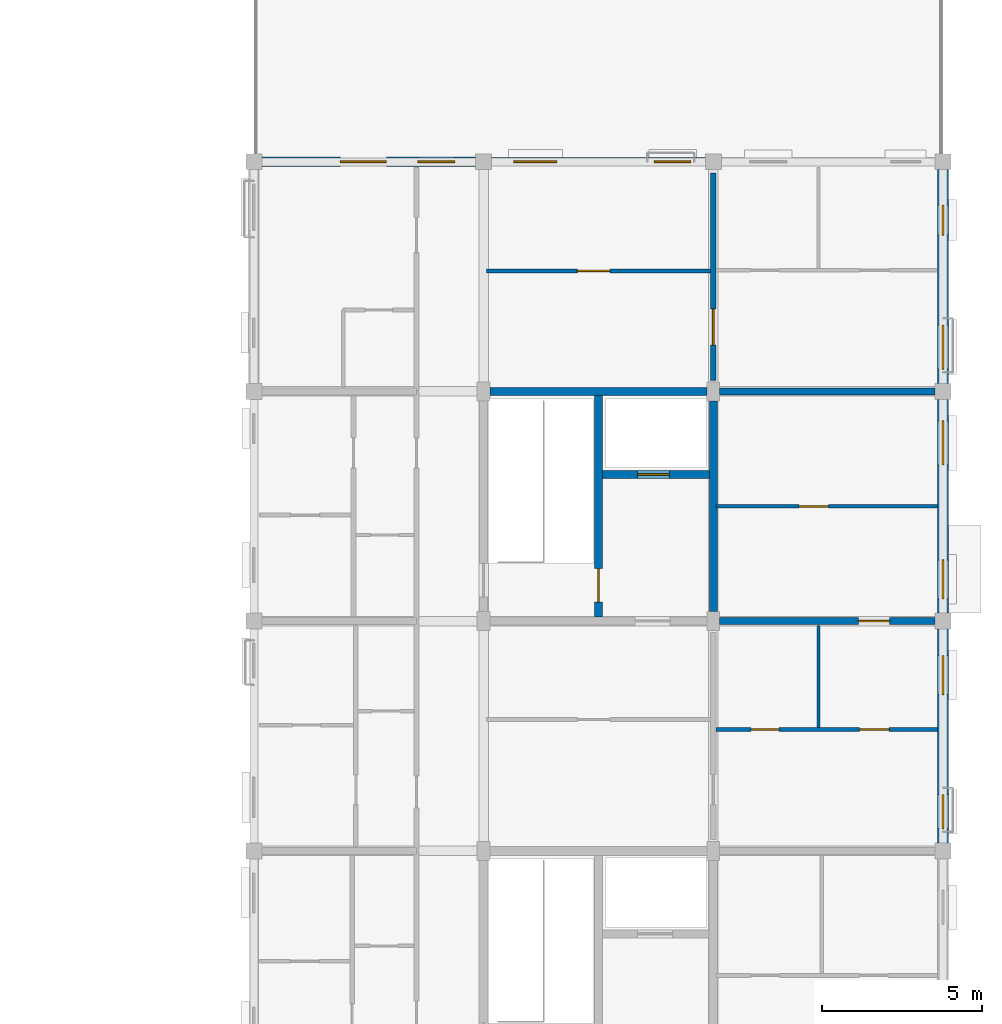
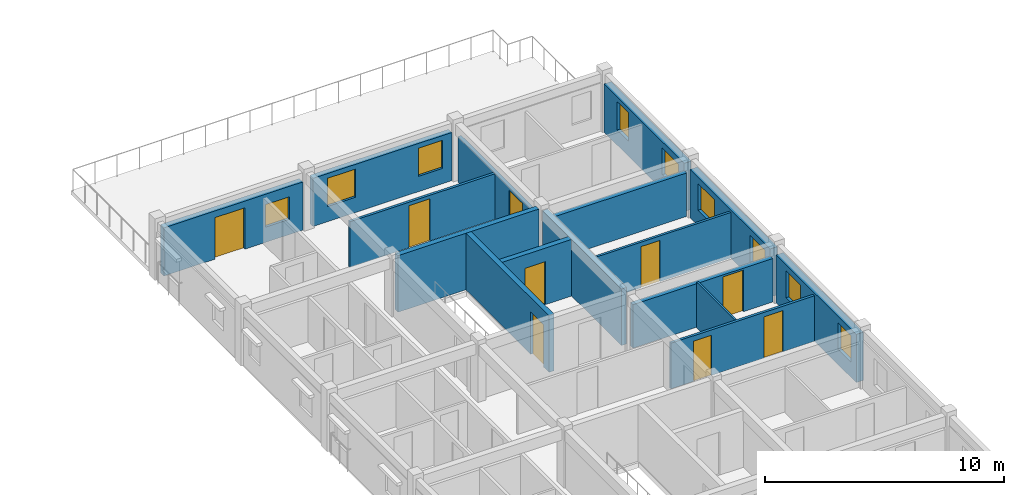
# One storey, part 24 of 38: 16 walls, 9 doors, 9 windows, 18 openings.
"""IFC4 building model written with IfcOpenShell, lengths in metres."""

from ifc_helpers import new_model, si_unit, direction, frame, frame_2d, origin, place, context, subcontext, project, spatial, rectangle, extrude, material, layer, layer_set, type_object, element, fill, save


model = new_model("IFC4")

# Units and contexts
model_context = context("Model", 3, precision=1e-05, world=origin(), true_north=direction((0.0, 1.0)))
body_context = subcontext(model_context, "Body", "Model", "MODEL_VIEW")
ifc_project = project(units=[si_unit("LENGTHUNIT", "METRE"), si_unit("AREAUNIT", "SQUARE_METRE"), si_unit("VOLUMEUNIT", "CUBIC_METRE"), si_unit("PLANEANGLEUNIT", "RADIAN"), si_unit("MASSUNIT", "GRAM", prefix="KILO"), si_unit("THERMODYNAMICTEMPERATUREUNIT", "KELVIN"), si_unit("POWERUNIT", "WATT")], contexts=[model_context])

# Site, building, storey
site_placement = place(None, origin())
site = spatial("IfcSite", under=ifc_project, at=site_placement, CompositionType="ELEMENT")
building_placement = place(site_placement, origin())
building = spatial("IfcBuilding", under=site, at=building_placement, Name="Tavuni Mirador Residences", CompositionType="ELEMENT")
storey_placement = place(building_placement, frame((0.0, 0.0, 32.85009765625)))
storey = spatial("IfcBuildingStorey", under=building, at=storey_placement, Name="L10", CompositionType="ELEMENT", Elevation=32.85009765625)

# Walls
ifc_material_1 = material(Name="Precast concrete C40/50", Category="concrete")
ifc_layer_1 = layer(ifc_material_1, 0.25, Name="Precast concrete C40/50", Category="concrete")
ifc_layer_set_1 = layer_set([ifc_layer_1], Name="Precast concrete C40/50")
wall_type_1 = type_object("IfcWallType", Name="WT-COR250", PredefinedType="SHEAR", material=ifc_layer_set_1)
wall_1_placement = place(storey_placement, frame((104.60009765625, 115.199951171875, 0.0), z_axis=(0.0, 0.0, 1.0), x_axis=(1.0, 0.0, 0.0)))
element("IfcWall", 1, at=wall_1_placement, inside=storey, type_object=wall_type_1, Name="CWALL-C8-L10-N", PredefinedType="SHEAR", context=body_context, shape_type="SweptSolid", body=[
    extrude(rectangle(XDim=6.7998046875, YDim=0.25, at=frame_2d((3.39990234375, 0.0))), origin(), (0.0, 0.0, 1.0), 2.889892578125),
])
wall_2_placement = place(storey_placement, frame((111.60009765625, 108.300048828125, 0.0), z_axis=(0.0, 0.0, 1.0), x_axis=(0.0, 1.0, 0.0)))
element("IfcWall", 2, at=wall_2_placement, inside=storey, type_object=wall_type_1, Name="CWALL-C8-L10-E", PredefinedType="SHEAR", context=body_context, shape_type="SweptSolid", body=[
    extrude(rectangle(XDim=6.599853515625, YDim=0.25, at=frame_2d((3.2998046875, 0.0))), origin(), (0.0, 0.0, 1.0), 2.889892578125),
])

# Wall, opening, door
wall_3_placement = place(storey_placement, frame((108.0, 108.125, 0.0), z_axis=(0.0, 0.0, 1.0), x_axis=(0.0, 1.0, 0.0)))
wall_3 = element("IfcWall", 3, at=wall_3_placement, inside=storey, type_object=wall_type_1, Name="CWALL-C8-L10-MID", PredefinedType="SHEAR", context=body_context, shape_type="SweptSolid", body=[
    extrude(rectangle(XDim=6.949951171875, YDim=0.25, at=frame_2d((3.47509765625, 0.0))), origin(), (0.0, 0.0, 1.0), 2.889892578125),
])
opening_1_placement = place(wall_3_placement, frame((0.47509765625, 0.0, 0.0)))
opening_1 = element("IfcOpeningElement", 4, at=opening_1_placement, cuts=wall_3, Name="Opening D-01", PredefinedType="OPENING", context=body_context, shape_type="SweptSolid", body=[
    extrude(rectangle(XDim=1.050048828125, YDim=2.14990234375, at=frame_2d((0.52490234375, 1.074951171875))), frame((0.0, 0.135009765625, 0.0), z_axis=(0.0, -1.0, 0.0), x_axis=(1.0, 0.0, 0.0)), (0.0, 0.0, 1.0), 0.27001953125),
])
ifc_material_2 = material(Name="Solid core iroko timber", Category="wood")
door_type_1 = type_object("IfcDoorType", Name="DT-ST1050", OperationType="NOTDEFINED", PredefinedType="DOOR", material=ifc_material_2)
door_1_placement = place(opening_1_placement, origin())
door_1 = element("IfcDoor", 5, at=door_1_placement, inside=storey, type_object=door_type_1, Name="DR-2355", OperationType="SINGLE_SWING_LEFT", OverallHeight=2.14990234375, OverallWidth=1.050048828125, PredefinedType="DOOR", context=body_context, shape_type="SweptSolid", body=[
    extrude(rectangle(XDim=1.050048828125, YDim=2.14990234375, at=frame_2d((0.52490234375, 1.074951171875))), frame((0.0, 0.02490234375, 0.0), z_axis=(0.0, -1.0, 0.0), x_axis=(1.0, 0.0, 0.0)), (0.0, 0.0, 1.0), 0.050048828125),
])
fill(opening_1, door_1)

wall_4_placement = place(storey_placement, frame((108.125, 112.60009765625, 0.0), z_axis=(0.0, 0.0, 1.0), x_axis=(1.0, 0.0, 0.0)))
wall_4 = element("IfcWall", 6, at=wall_4_placement, inside=storey, type_object=wall_type_1, Name="CWALL-C8-L10-SHF", PredefinedType="SHEAR", context=body_context, shape_type="SweptSolid", body=[
    extrude(rectangle(XDim=3.35009765625, YDim=0.25, at=frame_2d((1.675048828125, 0.0))), origin(), (0.0, 0.0, 1.0), 2.889892578125),
])
opening_2_placement = place(wall_4_placement, frame((1.10009765625, 0.0, 0.0)))
opening_2 = element("IfcOpeningElement", 7, at=opening_2_placement, cuts=wall_4, Name="Opening LD-02", PredefinedType="OPENING", context=body_context, shape_type="SweptSolid", body=[
    extrude(rectangle(XDim=1.0, YDim=2.199951171875, at=frame_2d((0.5, 1.10009765625))), frame((0.0, 0.135009765625, 0.0), z_axis=(0.0, -1.0, 0.0), x_axis=(1.0, 0.0, 0.0)), (0.0, 0.0, 1.0), 0.27001953125),
])
ifc_material_3 = material(Name="Structural steel S355", Category="steel")
door_type_2 = type_object("IfcDoorType", Name="DT-LD-PAX", OperationType="SLIDING_TO_LEFT", PredefinedType="DOOR", material=ifc_material_3)
door_2_placement = place(opening_2_placement, origin())
door_2 = element("IfcDoor", 8, at=door_2_placement, inside=storey, type_object=door_type_2, Name="Lift landing door PL-D1 L10", OperationType="SLIDING_TO_LEFT", OverallHeight=2.199951171875, OverallWidth=1.0, PredefinedType="DOOR", context=body_context, shape_type="SweptSolid", body=[
    extrude(rectangle(XDim=1.0, YDim=2.199951171875, at=frame_2d((0.5, 1.10009765625))), frame((0.0, 0.02490234375, 0.0), z_axis=(0.0, -1.0, 0.0), x_axis=(1.0, 0.0, 0.0)), (0.0, 0.0, 1.0), 0.050048828125),
])
fill(opening_2, door_2)

ifc_layer_2 = layer(ifc_material_1, 0.1650390625, Name="Precast concrete C40/50", Category="concrete")
ifc_layer_set_2 = layer_set([ifc_layer_2], Name="Precast concrete C40/50")
wall_type_2 = type_object("IfcWallType", Name="WT-CORR165", PredefinedType="PARTITIONING", material=ifc_layer_set_2)
wall_5_placement = place(storey_placement, frame((111.60009765625, 115.550048828125, 0.0), z_axis=(0.0, 0.0, 1.0), x_axis=(0.0, 1.0, 0.0)))
wall_5 = element("IfcWall", 9, at=wall_5_placement, inside=storey, type_object=wall_type_2, Name="CORW-BLK-D-L10-1-04", PredefinedType="PARTITIONING", context=body_context, shape_type="SweptSolid", body=[
    extrude(rectangle(XDim=6.5, YDim=0.1650390625, at=frame_2d((3.25, 0.0))), origin(), (0.0, 0.0, 1.0), 2.324951171875),
])
opening_3_placement = place(wall_5_placement, frame((1.10009765625, 0.0, 0.0)))
opening_3 = element("IfcOpeningElement", 10, at=opening_3_placement, cuts=wall_5, Name="Opening D-20", PredefinedType="OPENING", context=body_context, shape_type="SweptSolid", body=[
    extrude(rectangle(XDim=1.139892578125, YDim=2.179931640625, at=frame_2d((0.56982421875, 1.08984375))), frame((0.0, 0.092529296875, 0.0), z_axis=(0.0, -1.0, 0.0), x_axis=(1.0, 0.0, 0.0)), (0.0, 0.0, 1.0), 0.18505859375),
])
door_type_3 = type_object("IfcDoorType", Name="DT-FD60-1140", OperationType="NOTDEFINED", PredefinedType="DOOR", material=ifc_material_2)
door_3_placement = place(opening_3_placement, origin())
door_3 = element("IfcDoor", 11, at=door_3_placement, inside=storey, type_object=door_type_3, Name="DR-2930", OperationType="SINGLE_SWING_LEFT", OverallHeight=2.179931640625, OverallWidth=1.139892578125, PredefinedType="DOOR", context=body_context, shape_type="SweptSolid", body=[
    extrude(rectangle(XDim=1.139892578125, YDim=2.179931640625, at=frame_2d((0.56982421875, 1.08984375))), frame((0.0, 0.02490234375, 0.0), z_axis=(0.0, -1.0, 0.0), x_axis=(1.0, 0.0, 0.0)), (0.0, 0.0, 1.0), 0.050048828125),
])
fill(opening_3, door_3)

# Wall, openings, windows
ifc_material_4 = material(Name="Sgraffito lime-rendered precast concrete C40/50", Category="concrete")
ifc_layer_3 = layer(ifc_material_4, 0.27490234375, Name="Sgraffito lime-rendered precast concrete C40/50", Category="concrete")
ifc_layer_set_3 = layer_set([ifc_layer_3], Name="Sgraffito lime-rendered precast concrete C40/50")
wall_type_3 = type_object("IfcWallType", Name="WT-EXT-PC275", PredefinedType="SOLIDWALL", material=ifc_layer_set_3)
wall_6_placement = place(storey_placement, frame((111.35009765625, 122.39990234375, 0.0), z_axis=(0.0, 0.0, 1.0), x_axis=(-1.0, 0.0, 0.0)))
wall_6 = element("IfcWall", 12, at=wall_6_placement, inside=storey, type_object=wall_type_3, Name="EW-BLK-D-L10-N01", PredefinedType="SOLIDWALL", context=body_context, shape_type="SweptSolid", body=[
    extrude(rectangle(XDim=6.7001953125, YDim=0.27490234375, at=frame_2d((3.35009765625, 0.0))), origin(), (0.0, 0.0, 1.0), 2.4599609375),
])
opening_4_placement = place(wall_6_placement, frame((0.449951171875, 0.0, 0.780029296875)))
opening_4 = element("IfcOpeningElement", 13, at=opening_4_placement, cuts=wall_6, Name="Opening WN-27", PredefinedType="OPENING", context=body_context, shape_type="SweptSolid", body=[
    extrude(rectangle(XDim=1.14990234375, YDim=1.43994140625, at=frame_2d((0.574951171875, 0.719970703125))), frame((0.0, 0.1474609375, 0.0), z_axis=(0.0, -1.0, 0.0), x_axis=(1.0, 0.0, 0.0)), (0.0, 0.0, 1.0), 0.294921875),
])
opening_5_placement = place(wall_6_placement, frame((4.64990234375, 0.0, 0.780029296875)))
opening_5 = element("IfcOpeningElement", 14, at=opening_5_placement, cuts=wall_6, Name="Opening WN-29", PredefinedType="OPENING", context=body_context, shape_type="SweptSolid", body=[
    extrude(rectangle(XDim=1.35009765625, YDim=1.43994140625, at=frame_2d((0.675048828125, 0.719970703125))), frame((0.0, 0.1474609375, 0.0), z_axis=(0.0, -1.0, 0.0), x_axis=(1.0, 0.0, 0.0)), (0.0, 0.0, 1.0), 0.294921875),
])
ifc_material_5 = material(Name="Laminated solar-control glass", Category="glass")
window_type_1 = type_object("IfcWindowType", Name="WNT-27", PartitioningType="SINGLE_PANEL", PredefinedType="WINDOW", material=ifc_material_5)
window_1_placement = place(opening_4_placement, origin())
window_1 = element("IfcWindow", 15, at=window_1_placement, inside=storey, type_object=window_type_1, Name="WIN-1816", OverallHeight=1.43994140625, OverallWidth=1.14990234375, PartitioningType="SINGLE_PANEL", PredefinedType="WINDOW", context=body_context, shape_type="SweptSolid", body=[
    extrude(rectangle(XDim=1.14990234375, YDim=1.43994140625, at=frame_2d((0.574951171875, 0.719970703125))), frame((0.0, 0.030029296875, 0.0), z_axis=(0.0, -1.0, 0.0), x_axis=(1.0, 0.0, 0.0)), (0.0, 0.0, 1.0), 0.06005859375),
])
fill(opening_4, window_1)
window_type_2 = type_object("IfcWindowType", Name="WNT-29", PartitioningType="SINGLE_PANEL", PredefinedType="WINDOW", material=ifc_material_5)
window_2_placement = place(opening_5_placement, origin())
window_2 = element("IfcWindow", 16, at=window_2_placement, inside=storey, type_object=window_type_2, Name="WIN-1817", OverallHeight=1.43994140625, OverallWidth=1.35009765625, PartitioningType="SINGLE_PANEL", PredefinedType="WINDOW", context=body_context, shape_type="SweptSolid", body=[
    extrude(rectangle(XDim=1.35009765625, YDim=1.43994140625, at=frame_2d((0.675048828125, 0.719970703125))), frame((0.0, 0.030029296875, 0.0), z_axis=(0.0, -1.0, 0.0), x_axis=(1.0, 0.0, 0.0)), (0.0, 0.0, 1.0), 0.06005859375),
])
fill(opening_5, window_2)

# Wall, openings, door, window
ifc_layer_4 = layer(ifc_material_4, 0.2900390625, Name="Sgraffito lime-rendered precast concrete C40/50", Category="concrete")
ifc_layer_set_4 = layer_set([ifc_layer_4], Name="Sgraffito lime-rendered precast concrete C40/50")
wall_type_4 = type_object("IfcWallType", Name="WT-EXT-PC290", PredefinedType="SOLIDWALL", material=ifc_layer_set_4)
wall_7_placement = place(storey_placement, frame((104.14990234375, 122.39990234375, 0.0), z_axis=(0.0, 0.0, 1.0), x_axis=(-1.0, 0.0, 0.0)))
wall_7 = element("IfcWall", 17, at=wall_7_placement, inside=storey, type_object=wall_type_4, Name="EW-BLK-D-L10-N00", PredefinedType="SOLIDWALL", context=body_context, shape_type="SweptSolid", body=[
    extrude(rectangle(XDim=6.699951171875, YDim=0.2900390625, at=frame_2d((3.35009765625, 0.0))), origin(), (0.0, 0.0, 1.0), 2.4599609375),
])
opening_6_placement = place(wall_7_placement, frame((2.800048828125, 0.0, 0.0)))
opening_6 = element("IfcOpeningElement", 18, at=opening_6_placement, cuts=wall_7, Name="Opening TD-05", PredefinedType="OPENING", context=body_context, shape_type="SweptSolid", body=[
    extrude(rectangle(XDim=1.43994140625, YDim=2.1201171875, at=frame_2d((0.719970703125, 1.06005859375))), frame((0.0, 0.155029296875, 0.0), z_axis=(0.0, -1.0, 0.0), x_axis=(1.0, 0.0, 0.0)), (0.0, 0.0, 1.0), 0.31005859375),
])
opening_7_placement = place(wall_7_placement, frame((0.64990234375, 0.0, 0.780029296875)))
opening_7 = element("IfcOpeningElement", 19, at=opening_7_placement, cuts=wall_7, Name="Opening WN-05", PredefinedType="OPENING", context=body_context, shape_type="SweptSolid", body=[
    extrude(rectangle(XDim=1.159912109375, YDim=1.14990234375, at=frame_2d((0.580078125, 0.574951171875))), frame((0.0, 0.155029296875, 0.0), z_axis=(0.0, -1.0, 0.0), x_axis=(1.0, 0.0, 0.0)), (0.0, 0.0, 1.0), 0.31005859375),
])
ifc_material_6 = material(Name="Anodised aluminium", Category="aluminium")
door_type_4 = type_object("IfcDoorType", Name="DT-TER1440", OperationType="NOTDEFINED", PredefinedType="DOOR", material=ifc_material_6)
door_4_placement = place(opening_6_placement, frame((1.43994140625, 0.0, 0.0), z_axis=(0.0, 0.0, 1.0), x_axis=(-1.0, 0.0, 0.0)))
door_4 = element("IfcDoor", 20, at=door_4_placement, inside=storey, type_object=door_type_4, Name="DR-0019", OperationType="SINGLE_SWING_RIGHT", OverallHeight=2.1201171875, OverallWidth=1.43994140625, PredefinedType="DOOR", context=body_context, shape_type="SweptSolid", body=[
    extrude(rectangle(XDim=1.43994140625, YDim=2.1201171875, at=frame_2d((0.719970703125, 1.06005859375))), frame((0.0, 0.02490234375, 0.0), z_axis=(0.0, -1.0, 0.0), x_axis=(1.0, 0.0, 0.0)), (0.0, 0.0, 1.0), 0.050048828125),
])
fill(opening_6, door_4)
window_type_3 = type_object("IfcWindowType", Name="WNT-05", PartitioningType="SINGLE_PANEL", PredefinedType="WINDOW", material=ifc_material_5)
window_3_placement = place(opening_7_placement, origin())
window_3 = element("IfcWindow", 21, at=window_3_placement, inside=storey, type_object=window_type_3, Name="WIN-1818", OverallHeight=1.14990234375, OverallWidth=1.159912109375, PartitioningType="SINGLE_PANEL", PredefinedType="WINDOW", context=body_context, shape_type="SweptSolid", body=[
    extrude(rectangle(XDim=1.159912109375, YDim=1.14990234375, at=frame_2d((0.580078125, 0.574951171875))), frame((0.0, 0.030029296875, 0.0), z_axis=(0.0, -1.0, 0.0), x_axis=(1.0, 0.0, 0.0)), (0.0, 0.0, 1.0), 0.06005859375),
])
fill(opening_7, window_3)

# Wall, openings, windows
ifc_layer_5 = layer(ifc_material_4, 0.344970703125, Name="Sgraffito lime-rendered precast concrete C40/50", Category="concrete")
ifc_layer_set_5 = layer_set([ifc_layer_5], Name="Sgraffito lime-rendered precast concrete C40/50")
wall_type_5 = type_object("IfcWallType", Name="WT-EXT-PTY345", PredefinedType="SOLIDWALL", material=ifc_layer_set_5)
wall_8_placement = place(storey_placement, frame((118.800048828125, 101.050048828125, 0.0), z_axis=(0.0, 0.0, 1.0), x_axis=(0.0, 1.0, 0.0)))
wall_8 = element("IfcWall", 22, at=wall_8_placement, inside=storey, type_object=wall_type_5, Name="EW-BLK-D-L10-E02", PredefinedType="SOLIDWALL", context=body_context, shape_type="SweptSolid", body=[
    extrude(rectangle(XDim=6.699951171875, YDim=0.344970703125, at=frame_2d((3.35009765625, 0.0))), origin(), (0.0, 0.0, 1.0), 2.4599609375),
])
opening_8_placement = place(wall_8_placement, frame((0.449951171875, 0.0, 0.780029296875)))
opening_8 = element("IfcOpeningElement", 23, at=opening_8_placement, cuts=wall_8, Name="Opening WN-19", PredefinedType="OPENING", context=body_context, shape_type="SweptSolid", body=[
    extrude(rectangle(XDim=1.06005859375, YDim=1.360107421875, at=frame_2d((0.530029296875, 0.68017578125))), frame((0.0, 0.1826171875, 0.0), z_axis=(0.0, -1.0, 0.0), x_axis=(1.0, 0.0, 0.0)), (0.0, 0.0, 1.0), 0.364990234375),
])
opening_9_placement = place(wall_8_placement, frame((4.64990234375, 0.0, 0.780029296875)))
opening_9 = element("IfcOpeningElement", 24, at=opening_9_placement, cuts=wall_8, Name="Opening WN-21", PredefinedType="OPENING", context=body_context, shape_type="SweptSolid", body=[
    extrude(rectangle(XDim=1.219970703125, YDim=1.360107421875, at=frame_2d((0.60986328125, 0.68017578125))), frame((0.0, 0.1826171875, 0.0), z_axis=(0.0, -1.0, 0.0), x_axis=(1.0, 0.0, 0.0)), (0.0, 0.0, 1.0), 0.364990234375),
])
window_type_4 = type_object("IfcWindowType", Name="WNT-19", PartitioningType="SINGLE_PANEL", PredefinedType="WINDOW", material=ifc_material_5)
window_4_placement = place(opening_8_placement, origin())
window_4 = element("IfcWindow", 25, at=window_4_placement, inside=storey, type_object=window_type_4, Name="WIN-1808", OverallHeight=1.360107421875, OverallWidth=1.06005859375, PartitioningType="SINGLE_PANEL", PredefinedType="WINDOW", context=body_context, shape_type="SweptSolid", body=[
    extrude(rectangle(XDim=1.06005859375, YDim=1.360107421875, at=frame_2d((0.530029296875, 0.68017578125))), frame((0.0, 0.030029296875, 0.0), z_axis=(0.0, -1.0, 0.0), x_axis=(1.0, 0.0, 0.0)), (0.0, 0.0, 1.0), 0.06005859375),
])
fill(opening_8, window_4)
window_type_5 = type_object("IfcWindowType", Name="WNT-21", PartitioningType="SINGLE_PANEL", PredefinedType="WINDOW", material=ifc_material_5)
window_5_placement = place(opening_9_placement, origin())
window_5 = element("IfcWindow", 26, at=window_5_placement, inside=storey, type_object=window_type_5, Name="WIN-1809", OverallHeight=1.360107421875, OverallWidth=1.219970703125, PartitioningType="SINGLE_PANEL", PredefinedType="WINDOW", context=body_context, shape_type="SweptSolid", body=[
    extrude(rectangle(XDim=1.219970703125, YDim=1.360107421875, at=frame_2d((0.60986328125, 0.68017578125))), frame((0.0, 0.030029296875, 0.0), z_axis=(0.0, -1.0, 0.0), x_axis=(1.0, 0.0, 0.0)), (0.0, 0.0, 1.0), 0.06005859375),
])
fill(opening_9, window_5)

wall_9_placement = place(storey_placement, frame((118.800048828125, 108.25, 0.0), z_axis=(0.0, 0.0, 1.0), x_axis=(0.0, 1.0, 0.0)))
wall_9 = element("IfcWall", 27, at=wall_9_placement, inside=storey, type_object=wall_type_5, Name="EW-BLK-D-L10-E03", PredefinedType="SOLIDWALL", context=body_context, shape_type="SweptSolid", body=[
    extrude(rectangle(XDim=6.699951171875, YDim=0.344970703125, at=frame_2d((3.35009765625, 0.0))), origin(), (0.0, 0.0, 1.0), 2.4599609375),
])
opening_10_placement = place(wall_9_placement, frame((0.449951171875, 0.0, 0.780029296875)))
opening_10 = element("IfcOpeningElement", 28, at=opening_10_placement, cuts=wall_9, Name="Opening WN-21", PredefinedType="OPENING", context=body_context, shape_type="SweptSolid", body=[
    extrude(rectangle(XDim=1.219970703125, YDim=1.360107421875, at=frame_2d((0.60986328125, 0.68017578125))), frame((0.0, 0.1826171875, 0.0), z_axis=(0.0, -1.0, 0.0), x_axis=(1.0, 0.0, 0.0)), (0.0, 0.0, 1.0), 0.364990234375),
])
opening_11_placement = place(wall_9_placement, frame((4.64990234375, 0.0, 0.780029296875)))
opening_11 = element("IfcOpeningElement", 29, at=opening_11_placement, cuts=wall_9, Name="Opening WN-23", PredefinedType="OPENING", context=body_context, shape_type="SweptSolid", body=[
    extrude(rectangle(XDim=1.3798828125, YDim=1.360107421875, at=frame_2d((0.68994140625, 0.68017578125))), frame((0.0, 0.1826171875, 0.0), z_axis=(0.0, -1.0, 0.0), x_axis=(1.0, 0.0, 0.0)), (0.0, 0.0, 1.0), 0.364990234375),
])
window_6_placement = place(opening_10_placement, origin())
window_6 = element("IfcWindow", 30, at=window_6_placement, inside=storey, type_object=window_type_5, Name="WIN-1810", OverallHeight=1.360107421875, OverallWidth=1.219970703125, PartitioningType="SINGLE_PANEL", PredefinedType="WINDOW", context=body_context, shape_type="SweptSolid", body=[
    extrude(rectangle(XDim=1.219970703125, YDim=1.360107421875, at=frame_2d((0.60986328125, 0.68017578125))), frame((0.0, 0.030029296875, 0.0), z_axis=(0.0, -1.0, 0.0), x_axis=(1.0, 0.0, 0.0)), (0.0, 0.0, 1.0), 0.06005859375),
])
fill(opening_10, window_6)
window_type_6 = type_object("IfcWindowType", Name="WNT-23", PartitioningType="SINGLE_PANEL", PredefinedType="WINDOW", material=ifc_material_5)
window_7_placement = place(opening_11_placement, origin())
window_7 = element("IfcWindow", 31, at=window_7_placement, inside=storey, type_object=window_type_6, Name="WIN-1811", OverallHeight=1.360107421875, OverallWidth=1.3798828125, PartitioningType="SINGLE_PANEL", PredefinedType="WINDOW", context=body_context, shape_type="SweptSolid", body=[
    extrude(rectangle(XDim=1.3798828125, YDim=1.360107421875, at=frame_2d((0.68994140625, 0.68017578125))), frame((0.0, 0.030029296875, 0.0), z_axis=(0.0, -1.0, 0.0), x_axis=(1.0, 0.0, 0.0)), (0.0, 0.0, 1.0), 0.06005859375),
])
fill(opening_11, window_7)

wall_10_placement = place(storey_placement, frame((118.800048828125, 115.449951171875, 0.0), z_axis=(0.0, 0.0, 1.0), x_axis=(0.0, 1.0, 0.0)))
wall_10 = element("IfcWall", 32, at=wall_10_placement, inside=storey, type_object=wall_type_5, Name="EW-BLK-D-L10-E04", PredefinedType="SOLIDWALL", context=body_context, shape_type="SweptSolid", body=[
    extrude(rectangle(XDim=6.699951171875, YDim=0.344970703125, at=frame_2d((3.35009765625, 0.0))), origin(), (0.0, 0.0, 1.0), 2.4599609375),
])
opening_12_placement = place(wall_10_placement, frame((0.449951171875, 0.0, 0.780029296875)))
opening_12 = element("IfcOpeningElement", 33, at=opening_12_placement, cuts=wall_10, Name="Opening WN-23", PredefinedType="OPENING", context=body_context, shape_type="SweptSolid", body=[
    extrude(rectangle(XDim=1.3798828125, YDim=1.360107421875, at=frame_2d((0.68994140625, 0.68017578125))), frame((0.0, 0.1826171875, 0.0), z_axis=(0.0, -1.0, 0.0), x_axis=(1.0, 0.0, 0.0)), (0.0, 0.0, 1.0), 0.364990234375),
])
opening_13_placement = place(wall_10_placement, frame((4.64990234375, 0.0, 0.780029296875)))
opening_13 = element("IfcOpeningElement", 34, at=opening_13_placement, cuts=wall_10, Name="Opening WN-25", PredefinedType="OPENING", context=body_context, shape_type="SweptSolid", body=[
    extrude(rectangle(XDim=0.93994140625, YDim=1.43994140625, at=frame_2d((0.469970703125, 0.719970703125))), frame((0.0, 0.1826171875, 0.0), z_axis=(0.0, -1.0, 0.0), x_axis=(1.0, 0.0, 0.0)), (0.0, 0.0, 1.0), 0.364990234375),
])
window_8_placement = place(opening_12_placement, origin())
window_8 = element("IfcWindow", 35, at=window_8_placement, inside=storey, type_object=window_type_6, Name="WIN-1812", OverallHeight=1.360107421875, OverallWidth=1.3798828125, PartitioningType="SINGLE_PANEL", PredefinedType="WINDOW", context=body_context, shape_type="SweptSolid", body=[
    extrude(rectangle(XDim=1.3798828125, YDim=1.360107421875, at=frame_2d((0.68994140625, 0.68017578125))), frame((0.0, 0.030029296875, 0.0), z_axis=(0.0, -1.0, 0.0), x_axis=(1.0, 0.0, 0.0)), (0.0, 0.0, 1.0), 0.06005859375),
])
fill(opening_12, window_8)
window_type_7 = type_object("IfcWindowType", Name="WNT-25", PartitioningType="SINGLE_PANEL", PredefinedType="WINDOW", material=ifc_material_5)
window_9_placement = place(opening_13_placement, origin())
window_9 = element("IfcWindow", 36, at=window_9_placement, inside=storey, type_object=window_type_7, Name="WIN-1813", OverallHeight=1.43994140625, OverallWidth=0.93994140625, PartitioningType="SINGLE_PANEL", PredefinedType="WINDOW", context=body_context, shape_type="SweptSolid", body=[
    extrude(rectangle(XDim=0.93994140625, YDim=1.43994140625, at=frame_2d((0.469970703125, 0.719970703125))), frame((0.0, 0.030029296875, 0.0), z_axis=(0.0, -1.0, 0.0), x_axis=(1.0, 0.0, 0.0)), (0.0, 0.0, 1.0), 0.06005859375),
])
fill(opening_13, window_9)

# Wall
ifc_material_7 = material(Name="Acoustic gypsum and concrete block partition", Category="concrete")
ifc_layer_6 = layer(ifc_material_7, 0.094970703125, Name="Acoustic gypsum and concrete block partition", Category="concrete")
ifc_layer_set_6 = layer_set([ifc_layer_6], Name="Acoustic gypsum and concrete block partition")
wall_type_6 = type_object("IfcWallType", Name="WT-PART095", PredefinedType="PARTITIONING", material=ifc_layer_set_6)
wall_11_placement = place(storey_placement, frame((114.89990234375, 104.669921875, 0.0), z_axis=(0.0, 0.0, 1.0), x_axis=(0.0, 1.0, 0.0)))
element("IfcWall", 37, at=wall_11_placement, inside=storey, type_object=wall_type_6, Name="PW-BLK-D-L10-PF02-V", PredefinedType="PARTITIONING", context=body_context, shape_type="SweptSolid", body=[
    extrude(rectangle(XDim=3.190185546875, YDim=0.094970703125, at=frame_2d((1.59521484375, 0.0))), origin(), (0.0, 0.0, 1.0), 2.324951171875),
])

# Wall, opening, door
ifc_layer_7 = layer(ifc_material_7, 0.114990234375, Name="Acoustic gypsum and concrete block partition", Category="concrete")
ifc_layer_set_7 = layer_set([ifc_layer_7], Name="Acoustic gypsum and concrete block partition")
wall_type_7 = type_object("IfcWallType", Name="WT-PART115", PredefinedType="PARTITIONING", material=ifc_layer_set_7)
wall_12_placement = place(storey_placement, frame((111.68994140625, 111.60009765625, 0.0), z_axis=(0.0, 0.0, 1.0), x_axis=(1.0, 0.0, 0.0)))
wall_12 = element("IfcWall", 38, at=wall_12_placement, inside=storey, type_object=wall_type_7, Name="PW-BLK-D-L10-PF03-H", PredefinedType="PARTITIONING", context=body_context, shape_type="SweptSolid", body=[
    extrude(rectangle(XDim=6.93505859375, YDim=0.114990234375, at=frame_2d((3.467529296875, 0.0))), origin(), (0.0, 0.0, 1.0), 2.324951171875),
])
opening_14_placement = place(wall_12_placement, frame((2.60009765625, 0.0, 0.0)))
opening_14 = element("IfcOpeningElement", 39, at=opening_14_placement, cuts=wall_12, Name="Opening D-06", PredefinedType="OPENING", context=body_context, shape_type="SweptSolid", body=[
    extrude(rectangle(XDim=0.919921875, YDim=2.10009765625, at=frame_2d((0.4599609375, 1.050048828125))), frame((0.0, 0.0673828125, 0.0), z_axis=(0.0, -1.0, 0.0), x_axis=(1.0, 0.0, 0.0)), (0.0, 0.0, 1.0), 0.135009765625),
])
door_type_5 = type_object("IfcDoorType", Name="DT-INT920", OperationType="NOTDEFINED", PredefinedType="DOOR", material=ifc_material_2)
door_5_placement = place(opening_14_placement, origin())
door_5 = element("IfcDoor", 40, at=door_5_placement, inside=storey, type_object=door_type_5, Name="DR-4667", OperationType="SINGLE_SWING_RIGHT", OverallHeight=2.10009765625, OverallWidth=0.919921875, PredefinedType="DOOR", context=body_context, shape_type="SweptSolid", body=[
    extrude(rectangle(XDim=0.919921875, YDim=2.10009765625, at=frame_2d((0.4599609375, 1.050048828125))), frame((0.0, 0.02490234375, 0.0), z_axis=(0.0, -1.0, 0.0), x_axis=(1.0, 0.0, 0.0)), (0.0, 0.0, 1.0), 0.050048828125),
])
fill(opening_14, door_5)

# Wall, openings, doors
ifc_layer_8 = layer(ifc_material_7, 0.125, Name="Acoustic gypsum and concrete block partition", Category="concrete")
ifc_layer_set_8 = layer_set([ifc_layer_8], Name="Acoustic gypsum and concrete block partition")
wall_type_8 = type_object("IfcWallType", Name="WT-PART125", PredefinedType="PARTITIONING", material=ifc_layer_set_8)
wall_13_placement = place(storey_placement, frame((111.68994140625, 104.60009765625, 0.0), z_axis=(0.0, 0.0, 1.0), x_axis=(1.0, 0.0, 0.0)))
wall_13 = element("IfcWall", 41, at=wall_13_placement, inside=storey, type_object=wall_type_8, Name="PW-BLK-D-L10-PF02-H", PredefinedType="PARTITIONING", context=body_context, shape_type="SweptSolid", body=[
    extrude(rectangle(XDim=6.93505859375, YDim=0.125, at=frame_2d((3.467529296875, 0.0))), origin(), (0.0, 0.0, 1.0), 2.324951171875),
])
opening_15_placement = place(wall_13_placement, frame((1.10009765625, 0.0, 0.0)))
opening_15 = element("IfcOpeningElement", 42, at=opening_15_placement, cuts=wall_13, Name="Opening D-10", PredefinedType="OPENING", context=body_context, shape_type="SweptSolid", body=[
    extrude(rectangle(XDim=0.8701171875, YDim=2.050048828125, at=frame_2d((0.43505859375, 1.02490234375))), frame((0.0, 0.072509765625, 0.0), z_axis=(0.0, -1.0, 0.0), x_axis=(1.0, 0.0, 0.0)), (0.0, 0.0, 1.0), 0.14501953125),
])
opening_16_placement = place(wall_13_placement, frame((4.5, 0.0, 0.0)))
opening_16 = element("IfcOpeningElement", 43, at=opening_16_placement, cuts=wall_13, Name="Opening D-06", PredefinedType="OPENING", context=body_context, shape_type="SweptSolid", body=[
    extrude(rectangle(XDim=0.919921875, YDim=2.10009765625, at=frame_2d((0.4599609375, 1.050048828125))), frame((0.0, 0.072509765625, 0.0), z_axis=(0.0, -1.0, 0.0), x_axis=(1.0, 0.0, 0.0)), (0.0, 0.0, 1.0), 0.14501953125),
])
door_6_placement = place(opening_16_placement, origin())
door_6 = element("IfcDoor", 44, at=door_6_placement, inside=storey, type_object=door_type_5, Name="DR-4663", OperationType="SINGLE_SWING_RIGHT", OverallHeight=2.10009765625, OverallWidth=0.919921875, PredefinedType="DOOR", context=body_context, shape_type="SweptSolid", body=[
    extrude(rectangle(XDim=0.919921875, YDim=2.10009765625, at=frame_2d((0.4599609375, 1.050048828125))), frame((0.0, 0.02490234375, 0.0), z_axis=(0.0, -1.0, 0.0), x_axis=(1.0, 0.0, 0.0)), (0.0, 0.0, 1.0), 0.050048828125),
])
fill(opening_16, door_6)
door_type_6 = type_object("IfcDoorType", Name="DT-WC870", OperationType="NOTDEFINED", PredefinedType="DOOR", material=ifc_material_2)
door_7_placement = place(opening_15_placement, origin())
door_7 = element("IfcDoor", 45, at=door_7_placement, inside=storey, type_object=door_type_6, Name="DR-4662", OperationType="SINGLE_SWING_LEFT", OverallHeight=2.050048828125, OverallWidth=0.8701171875, PredefinedType="DOOR", context=body_context, shape_type="SweptSolid", body=[
    extrude(rectangle(XDim=0.8701171875, YDim=2.050048828125, at=frame_2d((0.43505859375, 1.02490234375))), frame((0.0, 0.02490234375, 0.0), z_axis=(0.0, -1.0, 0.0), x_axis=(1.0, 0.0, 0.0)), (0.0, 0.0, 1.0), 0.050048828125),
])
fill(opening_15, door_7)

# Wall, opening, door
wall_14_placement = place(storey_placement, frame((104.489990234375, 118.97998046875, 0.0), z_axis=(0.0, 0.0, 1.0), x_axis=(1.0, 0.0, 0.0)))
wall_14 = element("IfcWall", 46, at=wall_14_placement, inside=storey, type_object=wall_type_8, Name="PW-SPN-BLK-D-L10-04", PredefinedType="PARTITIONING", context=body_context, shape_type="SweptSolid", body=[
    extrude(rectangle(XDim=7.02001953125, YDim=0.125, at=frame_2d((3.510009765625, 0.0))), origin(), (0.0, 0.0, 1.0), 2.324951171875),
])
opening_17_placement = place(wall_14_placement, frame((2.85009765625, 0.0, 0.0)))
opening_17 = element("IfcOpeningElement", 47, at=opening_17_placement, cuts=wall_14, Name="Opening D-13", PredefinedType="OPENING", context=body_context, shape_type="SweptSolid", body=[
    extrude(rectangle(XDim=1.02001953125, YDim=2.14990234375, at=frame_2d((0.510009765625, 1.074951171875))), frame((0.0, 0.072509765625, 0.0), z_axis=(0.0, -1.0, 0.0), x_axis=(1.0, 0.0, 0.0)), (0.0, 0.0, 1.0), 0.14501953125),
])
door_type_7 = type_object("IfcDoorType", Name="DT-MTG1020", OperationType="NOTDEFINED", PredefinedType="DOOR", material=ifc_material_2)
door_8_placement = place(opening_17_placement, origin())
door_8 = element("IfcDoor", 48, at=door_8_placement, inside=storey, type_object=door_type_7, Name="DR-4668", OperationType="SINGLE_SWING_LEFT", OverallHeight=2.14990234375, OverallWidth=1.02001953125, PredefinedType="DOOR", context=body_context, shape_type="SweptSolid", body=[
    extrude(rectangle(XDim=1.02001953125, YDim=2.14990234375, at=frame_2d((0.510009765625, 1.074951171875))), frame((0.0, 0.02490234375, 0.0), z_axis=(0.0, -1.0, 0.0), x_axis=(1.0, 0.0, 0.0)), (0.0, 0.0, 1.0), 0.050048828125),
])
fill(opening_17, door_8)

ifc_layer_9 = layer(ifc_material_1, 0.215087890625, Name="Precast concrete C40/50", Category="concrete")
ifc_layer_set_9 = layer_set([ifc_layer_9], Name="Precast concrete C40/50")
wall_type_9 = type_object("IfcWallType", Name="WT-XW215", PredefinedType="SOLIDWALL", material=ifc_layer_set_9)
wall_15_placement = place(storey_placement, frame((111.800048828125, 108.0, 0.0), z_axis=(0.0, 0.0, 1.0), x_axis=(1.0, 0.0, 0.0)))
wall_15 = element("IfcWall", 49, at=wall_15_placement, inside=storey, type_object=wall_type_9, Name="XW-BLK-D-L10-E-03", PredefinedType="SOLIDWALL", context=body_context, shape_type="SweptSolid", body=[
    extrude(rectangle(XDim=6.75, YDim=0.215087890625, at=frame_2d((3.375, 0.0))), origin(), (0.0, 0.0, 1.0), 2.219970703125),
])
opening_18_placement = place(wall_15_placement, frame((4.35009765625, 0.0, 0.0)))
opening_18 = element("IfcOpeningElement", 50, at=opening_18_placement, cuts=wall_15, Name="Opening D-04", PredefinedType="OPENING", context=body_context, shape_type="SweptSolid", body=[
    extrude(rectangle(XDim=0.97998046875, YDim=2.1201171875, at=frame_2d((0.489990234375, 1.06005859375))), frame((0.0, 0.11767578125, 0.0), z_axis=(0.0, -1.0, 0.0), x_axis=(1.0, 0.0, 0.0)), (0.0, 0.0, 1.0), 0.235107421875),
])
door_type_8 = type_object("IfcDoorType", Name="DT-FD60-980", OperationType="NOTDEFINED", PredefinedType="DOOR", material=ifc_material_2)
door_9_placement = place(opening_18_placement, origin())
door_9 = element("IfcDoor", 51, at=door_9_placement, inside=storey, type_object=door_type_8, Name="DR-4779", OperationType="SINGLE_SWING_RIGHT", OverallHeight=2.1201171875, OverallWidth=0.97998046875, PredefinedType="DOOR", context=body_context, shape_type="SweptSolid", body=[
    extrude(rectangle(XDim=0.97998046875, YDim=2.1201171875, at=frame_2d((0.489990234375, 1.06005859375))), frame((0.0, 0.02490234375, 0.0), z_axis=(0.0, -1.0, 0.0), x_axis=(1.0, 0.0, 0.0)), (0.0, 0.0, 1.0), 0.050048828125),
])
fill(opening_18, door_9)

# Wall
wall_16_placement = place(storey_placement, frame((111.800048828125, 115.199951171875, 0.0), z_axis=(0.0, 0.0, 1.0), x_axis=(1.0, 0.0, 0.0)))
element("IfcWall", 52, at=wall_16_placement, inside=storey, type_object=wall_type_9, Name="XW-BLK-D-L10-E-04", PredefinedType="SOLIDWALL", context=body_context, shape_type="SweptSolid", body=[
    extrude(rectangle(XDim=6.75, YDim=0.215087890625, at=frame_2d((3.375, 0.0))), origin(), (0.0, 0.0, 1.0), 2.219970703125),
])

save(model, "model.ifc")
